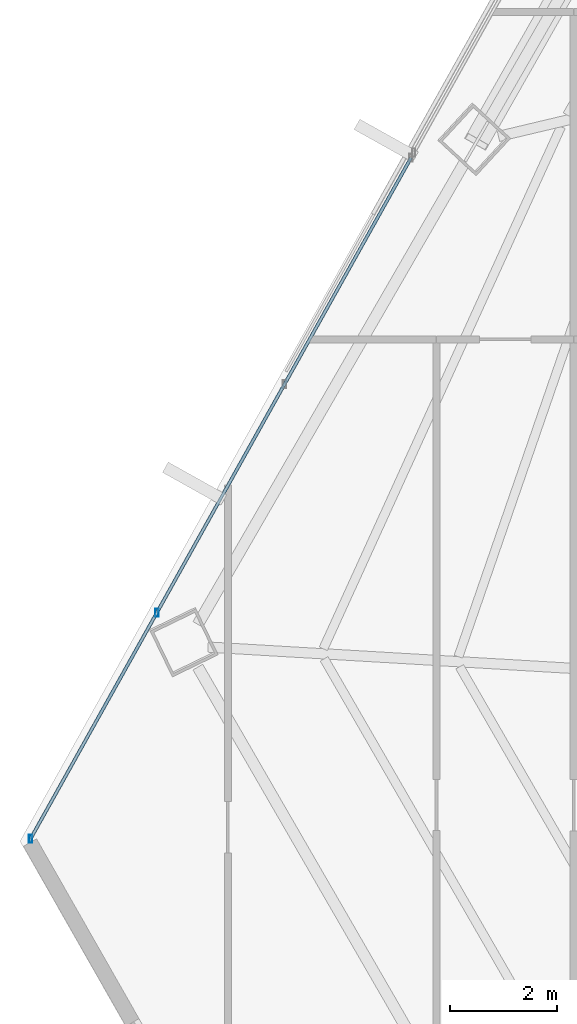
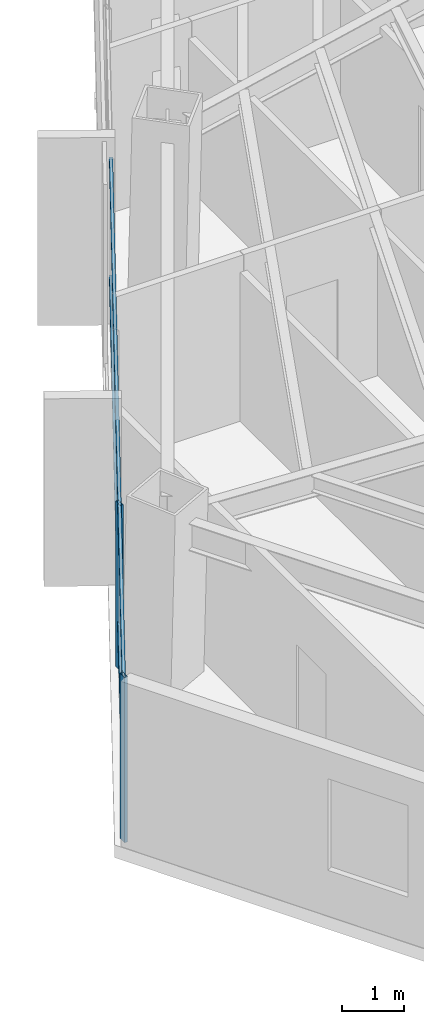
# One storey, part 6 of 40: 4 members, 1 element without a shape of its own.
"""IFC4 building model written with IfcOpenShell, lengths in metres."""

from ifc_helpers import new_model, si_unit, direction, frame, origin, origin_2d, place, context, subcontext, project, spatial, hollow_rectangle, extrude, source, transform, mapped, material, material_profile, profile_set, type_object, type_shapes, element, aggregate, save


model = new_model("IFC4")

# Units and contexts
model_context = context("Model", 3, precision=1e-05, world=origin(), true_north=direction((0.0, 1.0)))
body_context = subcontext(model_context, "Body", "Model", "MODEL_VIEW")
ifc_project = project(units=[si_unit("LENGTHUNIT", "METRE"), si_unit("AREAUNIT", "SQUARE_METRE"), si_unit("VOLUMEUNIT", "CUBIC_METRE"), si_unit("PLANEANGLEUNIT", "RADIAN"), si_unit("MASSUNIT", "GRAM", prefix="KILO")], contexts=[model_context])

# Site, building, storey
site_placement = place(None, origin())
site = spatial("IfcSite", under=ifc_project, at=site_placement, CompositionType="ELEMENT")
building_placement = place(site_placement, origin())
building = spatial("IfcBuilding", under=site, at=building_placement, Name="Caelisora Broadcast Tower", CompositionType="ELEMENT")
storey_placement = place(building_placement, frame((0.0, 0.0, 146.39990234375)))
storey = spatial("IfcBuildingStorey", under=building, at=storey_placement, Name="L38", CompositionType="ELEMENT", Elevation=146.39990234375)

# Curtain wall, members
ifc_material_1 = material(Name="Unitised Aluminium and Low-E Glass Curtain Wall", Category="glass")
curtain_wall_type = type_object("IfcCurtainWallType", Name="CW-Z3", PredefinedType="NOTDEFINED", material=ifc_material_1)
curtain_wall_placement = place(storey_placement, origin())
curtain_wall = element("IfcCurtainWall", 1, at=curtain_wall_placement, inside=storey, type_object=curtain_wall_type, Name="L38 curtain wall CW-Z3", PredefinedType="NOTDEFINED")
ifc_material_2 = material(Name="Aluminium 6063-T6 Anodised Terracotta Bronze", Category="aluminium")
ifc_material_profile_1 = material_profile(ifc_material_2, hollow_rectangle(XDim=0.06005859375, YDim=0.14990234375, WallThickness=0.00341796875, at=origin_2d()), Name="Aluminium 6063-T6 Anodised Terracotta Bronze")
ifc_profile_set_1 = profile_set([ifc_material_profile_1], Name="Aluminium 6063-T6 Anodised Terracotta Bronze")
member_type_1 = type_object("IfcMemberType", Name="CWT-02", PredefinedType="USERDEFINED", material=ifc_profile_set_1)
shared_shape_1 = source(origin(), body_context, "Body", "SweptSolid", [
    extrude(hollow_rectangle(XDim=0.06005859375, YDim=0.14990234375, WallThickness=0.00341796875, at=origin_2d()), origin(), (0.0, 0.0, 1.0), 14.5439453125),
])
type_shapes(member_type_1, [shared_shape_1])
member_1_placement = place(storey_placement, frame((12.44140625, 14.6865234375, 0.85009765625), z_axis=(0.487749495931, 0.872983636284, 0.0), x_axis=(-0.872983636284, 0.487749495931, 0.0)))
member_1 = element("IfcMember", 2, at=member_1_placement, type_object=member_type_1, Name="L38-CW-B09 transom #1", ObjectType="TRANSOM", PredefinedType="USERDEFINED", context=body_context, shape_type="MappedRepresentation", body=[
    mapped(shared_shape_1, transform((0.0, 0.0, 0.0), scale=1.0)),
])
member_2_placement = place(storey_placement, frame((12.44140625, 14.6865234375, 3.170166015625), z_axis=(0.487749495931, 0.872983636284, 0.0), x_axis=(-0.872983636284, 0.487749495931, 0.0)))
member_2 = element("IfcMember", 3, at=member_2_placement, type_object=member_type_1, Name="L38-CW-B09 transom #2", ObjectType="TRANSOM", PredefinedType="USERDEFINED", context=body_context, shape_type="MappedRepresentation", body=[
    mapped(shared_shape_1, transform((0.0, 0.0, 0.0), scale=1.0)),
])
ifc_material_profile_2 = material_profile(ifc_material_2, hollow_rectangle(XDim=0.06005859375, YDim=0.14990234375, WallThickness=0.00341796875, at=origin_2d()), Name="Aluminium 6063-T6 Anodised Terracotta Bronze")
ifc_profile_set_2 = profile_set([ifc_material_profile_2], Name="Aluminium 6063-T6 Anodised Terracotta Bronze")
member_type_2 = type_object("IfcMemberType", Name="CWM-03", PredefinedType="MULLION", material=ifc_profile_set_2)
shared_shape_2 = source(origin(), body_context, "Body", "SweptSolid", [
    extrude(hollow_rectangle(XDim=0.06005859375, YDim=0.14990234375, WallThickness=0.00341796875, at=origin_2d()), origin(), (0.0, 0.0, 1.0), 3.25),
])
type_shapes(member_type_2, [shared_shape_2])
member_3_placement = place(storey_placement, frame((12.44140625, 14.6865234375, 0.0), z_axis=(0.0, 0.0, 1.0), x_axis=(1.0, 0.0, 0.0)))
member_3 = element("IfcMember", 4, at=member_3_placement, type_object=member_type_2, Name="L38-CW-B09 mullion #0", PredefinedType="MULLION", context=body_context, shape_type="MappedRepresentation", body=[
    mapped(shared_shape_2, transform((0.0, 0.0, 0.0), scale=1.0)),
])
member_4_placement = place(storey_placement, frame((14.7978515625, 18.904296875, 0.0), z_axis=(0.0, 0.0, 1.0), x_axis=(1.0, 0.0, 0.0)))
member_4 = element("IfcMember", 5, at=member_4_placement, type_object=member_type_2, Name="L38-CW-B09 mullion #1", PredefinedType="MULLION", context=body_context, shape_type="MappedRepresentation", body=[
    mapped(shared_shape_2, transform((0.0, 0.0, 0.0), scale=1.0)),
])
aggregate(curtain_wall, [member_3, member_4, member_1, member_2])

save(model, "model.ifc")
